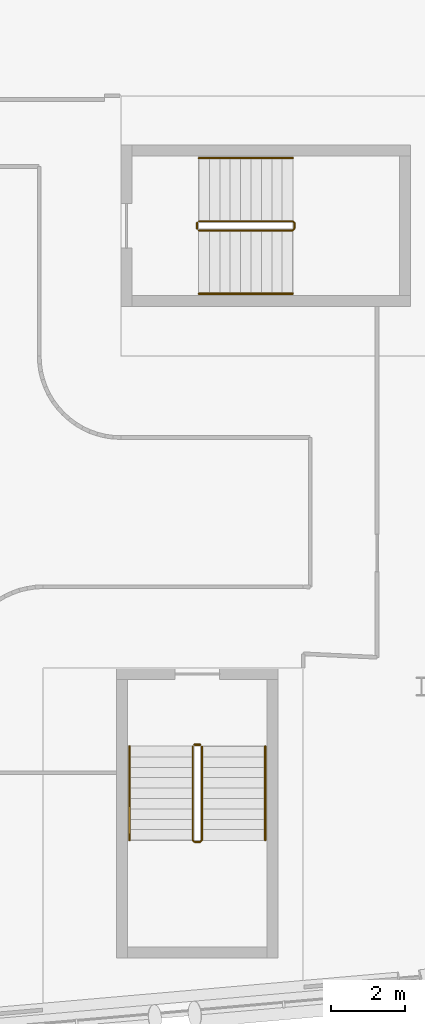
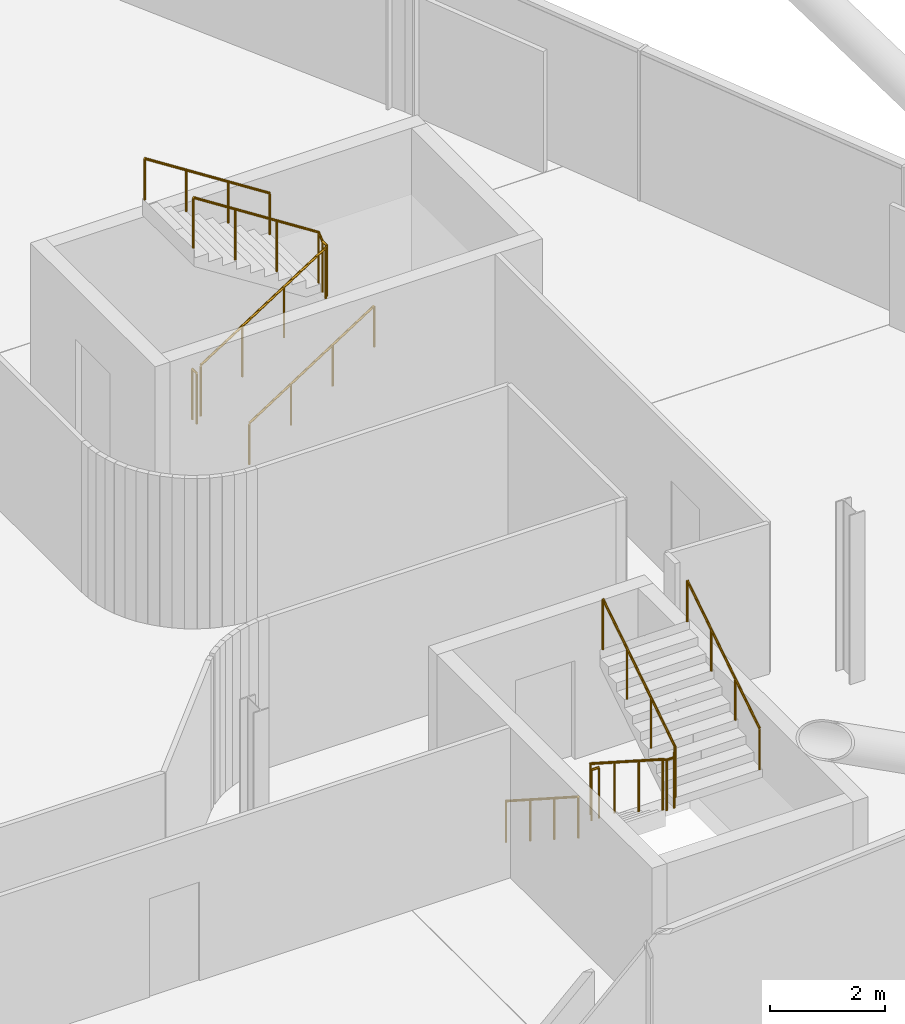
# One storey, part 28 of 29: 8 railings.
"""IFC4 building model written with IfcOpenShell, lengths in metres."""

from ifc_helpers import new_model, si_unit, direction, frame, origin, origin_2d, place, context, subcontext, project, spatial, circle, extrude, material, type_object, element, save


model = new_model("IFC4")

# Units and contexts
model_context = context("Model", 3, precision=1e-05, world=origin(), true_north=direction((0.0, 1.0)))
body_context = subcontext(model_context, "Body", "Model", "MODEL_VIEW")
ifc_project = project(units=[si_unit("LENGTHUNIT", "METRE"), si_unit("AREAUNIT", "SQUARE_METRE"), si_unit("VOLUMEUNIT", "CUBIC_METRE"), si_unit("PLANEANGLEUNIT", "RADIAN"), si_unit("MASSUNIT", "GRAM", prefix="KILO")], contexts=[model_context])

# Site, building, storey
site_placement = place(None, origin())
site = spatial("IfcSite", under=ifc_project, at=site_placement, CompositionType="ELEMENT")
building_placement = place(site_placement, origin())
building = spatial("IfcBuilding", under=site, at=building_placement, Name="Wharfspan Tower", CompositionType="ELEMENT")
storey_placement = place(building_placement, frame((0.0, 0.0, 155.5)))
storey = spatial("IfcBuildingStorey", under=building, at=storey_placement, Name="L37", CompositionType="ELEMENT", Elevation=155.5)

# Railings
ifc_material = material(Name="Steel S355J2", Category="steel")
railing_type_1 = type_object("IfcRailingType", Name="Stair guard 1100", PredefinedType="GUARDRAIL", material=ifc_material)
railing_1_placement = place(storey_placement, frame((65.836426, 9.883789, 0.179932)))
element("IfcRailing", 1, at=railing_1_placement, inside=storey, type_object=railing_type_1, Name="L37 ST5 stair guard 1", PredefinedType="GUARDRAIL", context=body_context, shape_type="SweptSolid", body=[
    extrude(circle(Radius=0.023926, at=origin_2d()), frame((0.0, 0.0, 1.076172), z_axis=(0.0, -0.841163, 0.540782), x_axis=(1.0, 0.0, 0.0)), (0.0, 0.0, 1.0), 2.99585),
    extrude(circle(Radius=0.023926, at=origin_2d()), frame((0.0, -2.52002, 2.696289), z_axis=(0.705376, -0.708834, 0.0), x_axis=(0.708834, 0.705376, 0.0)), (0.0, 0.0, 1.0), 0.070557),
    extrude(circle(Radius=0.023926, at=origin_2d()), frame((0.049805, -2.570068, 2.696289), z_axis=(1.0, 0.0, 0.0), x_axis=(0.0, 1.0, 0.0)), (0.0, 0.0, 1.0), 0.150146),
    extrude(circle(Radius=0.023926, at=origin_2d()), frame((0.199951, -2.570068, 2.696289), z_axis=(0.258848, 0.258848, 0.930589), x_axis=(-0.707107, 0.707107, 0.0)), (0.0, 0.0, 1.0), 0.193359),
    extrude(circle(Radius=0.023926, at=origin_2d()), frame((0.25, -2.52002, 2.875977), z_axis=(0.0, 0.841163, 0.540782), x_axis=(-1.0, 0.0, 0.0)), (0.0, 0.0, 1.0), 2.99585),
    extrude(circle(Radius=0.020996, at=origin_2d()), origin(), (0.0, 0.0, 1.0), 1.052002),
    extrude(circle(Radius=0.020996, at=origin_2d()), frame((0.0, -0.840088, 0.540039)), (0.0, 0.0, 1.0), 1.052002),
    extrude(circle(Radius=0.020996, at=origin_2d()), frame((0.0, -1.679932, 1.080078)), (0.0, 0.0, 1.0), 1.052002),
    extrude(circle(Radius=0.020996, at=origin_2d()), frame((0.0, -2.52002, 1.620117)), (0.0, 0.0, 1.0), 1.052002),
    extrude(circle(Radius=0.020996, at=origin_2d()), frame((0.049805, -2.570068, 1.620117)), (0.0, 0.0, 1.0), 1.052002),
    extrude(circle(Radius=0.020996, at=origin_2d()), frame((0.199951, -2.570068, 1.620117)), (0.0, 0.0, 1.0), 1.052002),
    extrude(circle(Radius=0.020996, at=origin_2d()), frame((0.25, -2.52002, 1.800049)), (0.0, 0.0, 1.0), 1.052002),
    extrude(circle(Radius=0.020996, at=origin_2d()), frame((0.25, -1.679932, 2.340088)), (0.0, 0.0, 1.0), 1.052002),
    extrude(circle(Radius=0.020996, at=origin_2d()), frame((0.25, -0.840088, 2.880127)), (0.0, 0.0, 1.0), 1.052002),
    extrude(circle(Radius=0.020996, at=origin_2d()), frame((0.25, 0.0, 3.420166)), (0.0, 0.0, 1.0), 1.052002),
])
railing_2_placement = place(storey_placement, frame((65.88623, 9.933594, 0.0)))
element("IfcRailing", 2, at=railing_2_placement, inside=storey, type_object=railing_type_1, Name="L37 ST5 stair guard 2", PredefinedType="GUARDRAIL", context=body_context, shape_type="SweptSolid", body=[
    extrude(circle(Radius=0.023926, at=origin_2d()), frame((0.0, 0.0, 1.076172), z_axis=(1.0, 0.0, 0.0), x_axis=(0.0, 1.0, 0.0)), (0.0, 0.0, 1.0), 0.150146),
    extrude(circle(Radius=0.020996, at=origin_2d()), origin(), (0.0, 0.0, 1.0), 1.052002),
    extrude(circle(Radius=0.020996, at=origin_2d()), frame((0.150146, 0.0, 0.0)), (0.0, 0.0, 1.0), 1.052002),
])
railing_3_placement = place(storey_placement, frame((66.004639, 23.774902, 0.179932)))
element("IfcRailing", 3, at=railing_3_placement, inside=storey, type_object=railing_type_1, Name="L37 ST6 stair guard 1", PredefinedType="GUARDRAIL", context=body_context, shape_type="SweptSolid", body=[
    extrude(circle(Radius=0.023926, at=origin_2d()), frame((0.0, 0.0, 1.076172), z_axis=(0.841163, 0.0, 0.540782), x_axis=(0.0, 1.0, 0.0)), (0.0, 0.0, 1.0), 2.99585),
    extrude(circle(Radius=0.023926, at=origin_2d()), frame((2.52002, 0.0, 2.696289), z_axis=(0.707107, 0.707107, 0.0), x_axis=(-0.707107, 0.707107, 0.0)), (0.0, 0.0, 1.0), 0.070801),
    extrude(circle(Radius=0.023926, at=origin_2d()), frame((2.570068, 0.050049, 2.696289), z_axis=(0.0, 1.0, 0.0), x_axis=(-1.0, 0.0, 0.0)), (0.0, 0.0, 1.0), 0.150146),
    extrude(circle(Radius=0.023926, at=origin_2d()), frame((2.570068, 0.200195, 2.696289), z_axis=(-0.258932, 0.257669, 0.930892), x_axis=(-0.705372, -0.708833, 1e-06)), (0.0, 0.0, 1.0), 0.193359),
    extrude(circle(Radius=0.023926, at=origin_2d()), frame((2.52002, 0.25, 2.875977), z_axis=(-0.841163, 0.0, 0.540782), x_axis=(0.0, -1.0, 0.0)), (0.0, 0.0, 1.0), 2.99585),
    extrude(circle(Radius=0.020996, at=origin_2d()), origin(), (0.0, 0.0, 1.0), 1.052002),
    extrude(circle(Radius=0.020996, at=origin_2d()), frame((0.840088, 0.0, 0.540039)), (0.0, 0.0, 1.0), 1.052002),
    extrude(circle(Radius=0.020996, at=origin_2d()), frame((1.679932, 0.0, 1.080078)), (0.0, 0.0, 1.0), 1.052002),
    extrude(circle(Radius=0.020996, at=origin_2d()), frame((2.52002, 0.0, 1.620117)), (0.0, 0.0, 1.0), 1.052002),
    extrude(circle(Radius=0.020996, at=origin_2d()), frame((2.570068, 0.050049, 1.620117)), (0.0, 0.0, 1.0), 1.052002),
    extrude(circle(Radius=0.020996, at=origin_2d()), frame((2.570068, 0.200195, 1.620117)), (0.0, 0.0, 1.0), 1.052002),
    extrude(circle(Radius=0.020996, at=origin_2d()), frame((2.52002, 0.25, 1.800049)), (0.0, 0.0, 1.0), 1.052002),
    extrude(circle(Radius=0.020996, at=origin_2d()), frame((1.679932, 0.25, 2.340088)), (0.0, 0.0, 1.0), 1.052002),
    extrude(circle(Radius=0.020996, at=origin_2d()), frame((0.840088, 0.25, 2.880127)), (0.0, 0.0, 1.0), 1.052002),
    extrude(circle(Radius=0.020996, at=origin_2d()), frame((0.0, 0.25, 3.420166)), (0.0, 0.0, 1.0), 1.052002),
])
railing_4_placement = place(storey_placement, frame((65.95459, 23.824951, 0.0)))
element("IfcRailing", 4, at=railing_4_placement, inside=storey, type_object=railing_type_1, Name="L37 ST6 stair guard 2", PredefinedType="GUARDRAIL", context=body_context, shape_type="SweptSolid", body=[
    extrude(circle(Radius=0.023926, at=origin_2d()), frame((0.0, 0.0, 1.076172), z_axis=(0.0, 1.0, 0.0), x_axis=(-1.0, 0.0, 0.0)), (0.0, 0.0, 1.0), 0.150146),
    extrude(circle(Radius=0.020996, at=origin_2d()), origin(), (0.0, 0.0, 1.0), 1.052002),
    extrude(circle(Radius=0.020996, at=origin_2d()), frame((0.0, 0.150146, 0.0)), (0.0, 0.0, 1.0), 1.052002),
])
railing_type_2 = type_object("IfcRailingType", Name="Stair handrail 900", PredefinedType="HANDRAIL", material=ifc_material)
railing_5_placement = place(storey_placement, frame((64.13623, 9.883789, 0.179932)))
element("IfcRailing", 5, at=railing_5_placement, inside=storey, type_object=railing_type_2, Name="L37 ST5 stair handrail 1", PredefinedType="HANDRAIL", context=body_context, shape_type="SweptSolid", body=[
    extrude(circle(Radius=0.023926, at=origin_2d()), frame((0.0, 0.0, 0.875977), z_axis=(0.0, -0.841163, 0.540782), x_axis=(1.0, 0.0, 0.0)), (0.0, 0.0, 1.0), 2.99585),
    extrude(circle(Radius=0.020996, at=origin_2d()), origin(), (0.0, 0.0, 1.0), 0.851807),
    extrude(circle(Radius=0.020996, at=origin_2d()), frame((0.0, -0.840088, 0.540039)), (0.0, 0.0, 1.0), 0.851807),
    extrude(circle(Radius=0.020996, at=origin_2d()), frame((0.0, -1.679932, 1.080078)), (0.0, 0.0, 1.0), 0.851807),
    extrude(circle(Radius=0.020996, at=origin_2d()), frame((0.0, -2.52002, 1.620117)), (0.0, 0.0, 1.0), 0.851807),
])
railing_6_placement = place(storey_placement, frame((67.786377, 7.36377, 1.97998)))
element("IfcRailing", 6, at=railing_6_placement, inside=storey, type_object=railing_type_2, Name="L37 ST5 stair handrail 2", PredefinedType="HANDRAIL", context=body_context, shape_type="SweptSolid", body=[
    extrude(circle(Radius=0.023926, at=origin_2d()), frame((0.0, 0.0, 0.875977), z_axis=(0.0, 0.841163, 0.540782), x_axis=(-1.0, 0.0, 0.0)), (0.0, 0.0, 1.0), 2.99585),
    extrude(circle(Radius=0.020996, at=origin_2d()), origin(), (0.0, 0.0, 1.0), 0.851807),
    extrude(circle(Radius=0.020996, at=origin_2d()), frame((0.0, 0.840088, 0.540039)), (0.0, 0.0, 1.0), 0.851807),
    extrude(circle(Radius=0.020996, at=origin_2d()), frame((0.0, 1.679932, 1.080078)), (0.0, 0.0, 1.0), 0.851807),
    extrude(circle(Radius=0.020996, at=origin_2d()), frame((0.0, 2.52002, 1.620117)), (0.0, 0.0, 1.0), 0.851807),
])
railing_7_placement = place(storey_placement, frame((66.004639, 22.074951, 0.179932)))
element("IfcRailing", 7, at=railing_7_placement, inside=storey, type_object=railing_type_2, Name="L37 ST6 stair handrail 1", PredefinedType="HANDRAIL", context=body_context, shape_type="SweptSolid", body=[
    extrude(circle(Radius=0.023926, at=origin_2d()), frame((0.0, 0.0, 0.875977), z_axis=(0.841163, 0.0, 0.540782), x_axis=(0.0, 1.0, 0.0)), (0.0, 0.0, 1.0), 2.99585),
    extrude(circle(Radius=0.020996, at=origin_2d()), origin(), (0.0, 0.0, 1.0), 0.851807),
    extrude(circle(Radius=0.020996, at=origin_2d()), frame((0.840088, 0.0, 0.540039)), (0.0, 0.0, 1.0), 0.851807),
    extrude(circle(Radius=0.020996, at=origin_2d()), frame((1.679932, 0.0, 1.080078)), (0.0, 0.0, 1.0), 0.851807),
    extrude(circle(Radius=0.020996, at=origin_2d()), frame((2.52002, 0.0, 1.620117)), (0.0, 0.0, 1.0), 0.851807),
])
railing_8_placement = place(storey_placement, frame((68.524658, 25.725098, 1.97998)))
element("IfcRailing", 8, at=railing_8_placement, inside=storey, type_object=railing_type_2, Name="L37 ST6 stair handrail 2", PredefinedType="HANDRAIL", context=body_context, shape_type="SweptSolid", body=[
    extrude(circle(Radius=0.023926, at=origin_2d()), frame((0.0, 0.0, 0.875977), z_axis=(-0.841163, 0.0, 0.540782), x_axis=(0.0, -1.0, 0.0)), (0.0, 0.0, 1.0), 2.99585),
    extrude(circle(Radius=0.020996, at=origin_2d()), origin(), (0.0, 0.0, 1.0), 0.851807),
    extrude(circle(Radius=0.020996, at=origin_2d()), frame((-0.840088, 0.0, 0.540039)), (0.0, 0.0, 1.0), 0.851807),
    extrude(circle(Radius=0.020996, at=origin_2d()), frame((-1.679932, 0.0, 1.080078)), (0.0, 0.0, 1.0), 0.851807),
    extrude(circle(Radius=0.020996, at=origin_2d()), frame((-2.52002, 0.0, 1.620117)), (0.0, 0.0, 1.0), 0.851807),
])

save(model, "model.ifc")
